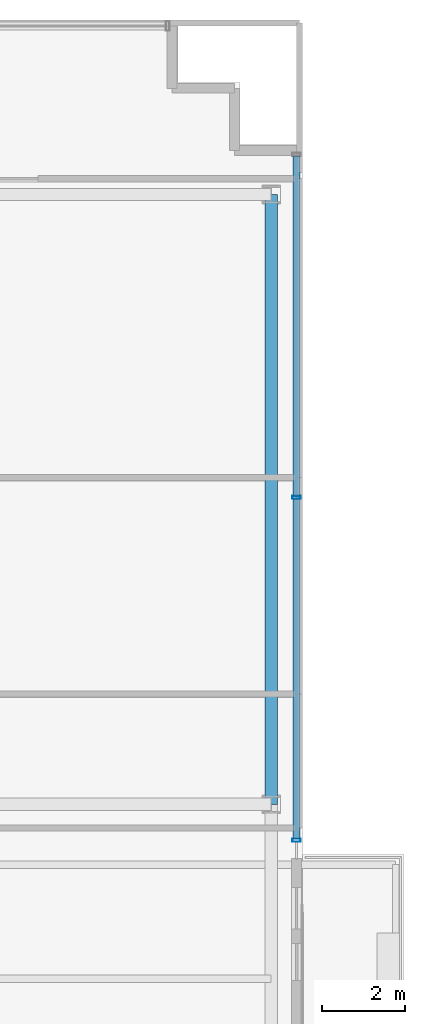
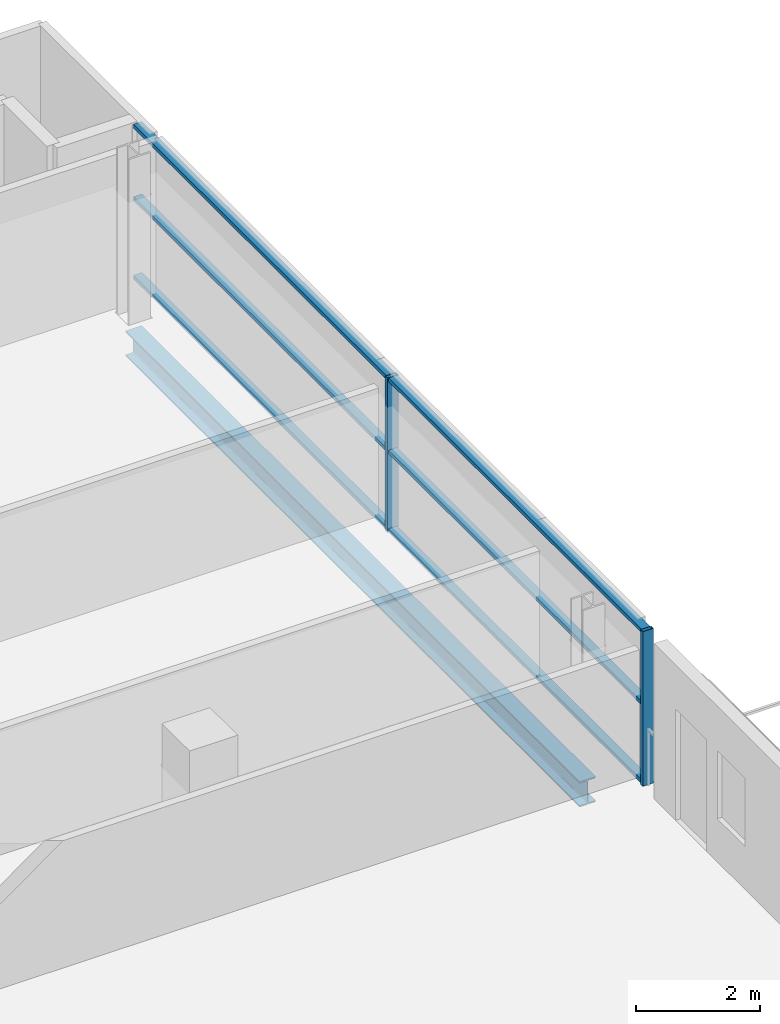
# One storey, part 11 of 25: 8 members, 1 beam, 1 element without a shape of its own.
"""IFC4 building model written with IfcOpenShell, lengths in metres."""

from ifc_helpers import new_model, si_unit, direction, frame, origin, origin_2d, place, context, subcontext, project, spatial, hollow_rectangle, i_section, extrude, source, transform, mapped, material, layer, layer_set, material_profile, profile_set, type_object, element, aggregate, save


model = new_model("IFC4")

# Units and contexts
model_context = context("Model", 3, precision=1e-05, world=origin(), true_north=direction((0.0, 1.0)))
body_context = subcontext(model_context, "Body", "Model", "MODEL_VIEW")
ifc_project = project(units=[si_unit("LENGTHUNIT", "METRE"), si_unit("AREAUNIT", "SQUARE_METRE"), si_unit("VOLUMEUNIT", "CUBIC_METRE"), si_unit("PLANEANGLEUNIT", "RADIAN"), si_unit("MASSUNIT", "GRAM", prefix="KILO")], contexts=[model_context])

# Site, building, storey
site_placement = place(None, origin())
site = spatial("IfcSite", under=ifc_project, at=site_placement, CompositionType="ELEMENT")
building_placement = place(site_placement, origin())
building = spatial("IfcBuilding", under=site, at=building_placement, Name="Zarnakvel Exchange Tower", CompositionType="ELEMENT")
storey_placement = place(building_placement, frame((0.0, 0.0, 126.39990234375)))
storey = spatial("IfcBuildingStorey", under=building, at=storey_placement, Name="L35", CompositionType="ELEMENT", Elevation=126.39990234375)

# Beam
ifc_material_1 = material(Name="Steel S355", Category="steel")
ifc_material_profile_1 = material_profile(ifc_material_1, i_section(OverallWidth=0.300048828125, OverallDepth=0.5, WebThickness=0.014404296875, FlangeThickness=0.028076171875, FilletRadius=0.027099609375, at=origin_2d()))
ifc_profile_set_1 = profile_set([ifc_material_profile_1], Name="Steel S355")
beam_type = type_object("IfcBeamType", Name="SP-02", PredefinedType="SPANDREL", material=ifc_profile_set_1)
beam_placement = place(storey_placement, frame((28.85009765625, -1.199951171875, -0.474853515625), z_axis=(0.0, 1.0, 0.0), x_axis=(-1.0, 0.0, 0.0)))
element("IfcBeam", 1, at=beam_placement, inside=storey, type_object=beam_type, Name="L35 Tower N-S Frame Beam", PredefinedType="SPANDREL", context=body_context, shape_type="SweptSolid", body=[
    extrude(i_section(OverallWidth=0.300048828125, OverallDepth=0.5, WebThickness=0.014404296875, FlangeThickness=0.028076171875, FilletRadius=0.027099609375, at=origin_2d()), origin(), (0.0, 0.0, 1.0), 14.699951171875),
])

# Curtain wall, members
ifc_material_2 = material(Name="Architectural Bronze Anodised Aluminium", Category="aluminium")
ifc_layer = layer(ifc_material_2, 0.199951171875)
ifc_layer_set = layer_set([ifc_layer], Name="Architectural Bronze Anodised Aluminium")
curtain_wall_type = type_object("IfcCurtainWallType", Name="CW-04", PredefinedType="NOTDEFINED", material=ifc_layer_set)
curtain_wall_placement = place(storey_placement, origin())
curtain_wall = element("IfcCurtainWall", 2, at=curtain_wall_placement, inside=storey, type_object=curtain_wall_type, Name="L35 Curtain Wall CW-L35-EN (CW-04)", PredefinedType="NOTDEFINED")
ifc_material_profile_2 = material_profile(ifc_material_2, hollow_rectangle(XDim=0.199951171875, YDim=0.074951171875, WallThickness=0.0048828125, at=origin_2d()))
ifc_profile_set_2 = profile_set([ifc_material_profile_2], Name="Architectural Bronze Anodised Aluminium")
member_type_1 = type_object("IfcMemberType", Name="CWM-04", PredefinedType="MULLION", material=ifc_profile_set_2)
shared_shape_1 = source(origin(), body_context, "Body", "SweptSolid", [
    extrude(hollow_rectangle(XDim=0.199951171875, YDim=0.074951171875, WallThickness=0.0048828125, at=origin_2d()), origin(), (0.0, 0.0, 1.0), 3.05517578125),
])
member_1_placement = place(storey_placement, frame((29.4599609375, -2.0625, 0.0), z_axis=(0.0, 0.0, 1.0), x_axis=(-1.0, 0.0, 0.0)))
member_1 = element("IfcMember", 3, at=member_1_placement, type_object=member_type_1, Name="CW-04 mullion 1", PredefinedType="MULLION", context=body_context, shape_type="MappedRepresentation", body=[
    mapped(shared_shape_1, transform((0.0, 0.0, 0.0), x_axis=(1.0, 0.0, 0.0), y_axis=(0.0, 1.0, 0.0), z_axis=(0.0, 0.0, 1.0), scale=1.0)),
])
member_2_placement = place(storey_placement, frame((29.4599609375, 6.199951171875, 0.0), z_axis=(0.0, 0.0, 1.0), x_axis=(-1.0, 0.0, 0.0)))
member_2 = element("IfcMember", 4, at=member_2_placement, type_object=member_type_1, Name="CW-04 mullion 2", PredefinedType="MULLION", context=body_context, shape_type="MappedRepresentation", body=[
    mapped(shared_shape_1, transform((0.0, 0.0, 0.0), x_axis=(1.0, 0.0, 0.0), y_axis=(0.0, 1.0, 0.0), z_axis=(0.0, 0.0, 1.0), scale=1.0)),
])
ifc_material_profile_3 = material_profile(ifc_material_2, hollow_rectangle(XDim=0.159912109375, YDim=0.074951171875, WallThickness=0.00390625, at=origin_2d()))
ifc_profile_set_3 = profile_set([ifc_material_profile_3], Name="Architectural Bronze Anodised Aluminium")
member_type_2 = type_object("IfcMemberType", Name="CWT-04", PredefinedType="USERDEFINED", material=ifc_profile_set_3)
shared_shape_2 = source(origin(), body_context, "Body", "SweptSolid", [
    extrude(hollow_rectangle(XDim=0.159912109375, YDim=0.074951171875, WallThickness=0.00390625, at=origin_2d()), origin(), (0.0, 0.0, 1.0), 8.1875),
])
member_3_placement = place(storey_placement, frame((29.4599609375, -2.02490234375, 0.03759765625), z_axis=(0.0, 1.0, 0.0), x_axis=(-1.0, 0.0, 0.0)))
member_3 = element("IfcMember", 5, at=member_3_placement, type_object=member_type_2, Name="CW-04 transom 1.1", ObjectType="TRANSOM", PredefinedType="USERDEFINED", context=body_context, shape_type="MappedRepresentation", body=[
    mapped(shared_shape_2, transform((0.0, 0.0, 0.0), x_axis=(1.0, 0.0, 0.0), y_axis=(0.0, 1.0, 0.0), z_axis=(0.0, 0.0, 1.0), scale=1.0)),
])
member_4_placement = place(storey_placement, frame((29.4599609375, -2.02490234375, 1.588623046875), z_axis=(0.0, 1.0, 0.0), x_axis=(-1.0, 0.0, 0.0)))
member_4 = element("IfcMember", 6, at=member_4_placement, type_object=member_type_2, Name="CW-04 transom 1.2", ObjectType="TRANSOM", PredefinedType="USERDEFINED", context=body_context, shape_type="MappedRepresentation", body=[
    mapped(shared_shape_2, transform((0.0, 0.0, 0.0), x_axis=(1.0, 0.0, 0.0), y_axis=(0.0, 1.0, 0.0), z_axis=(0.0, 0.0, 1.0), scale=1.0)),
])
member_5_placement = place(storey_placement, frame((29.4599609375, -2.02490234375, 3.017578125), z_axis=(0.0, 1.0, 0.0), x_axis=(-1.0, 0.0, 0.0)))
member_5 = element("IfcMember", 7, at=member_5_placement, type_object=member_type_2, Name="CW-04 transom 1.3", ObjectType="TRANSOM", PredefinedType="USERDEFINED", context=body_context, shape_type="MappedRepresentation", body=[
    mapped(shared_shape_2, transform((0.0, 0.0, 0.0), x_axis=(1.0, 0.0, 0.0), y_axis=(0.0, 1.0, 0.0), z_axis=(0.0, 0.0, 1.0), scale=1.0)),
])
member_6_placement = place(storey_placement, frame((29.4599609375, 6.237548828125, 0.03759765625), z_axis=(0.0, 1.0, 0.0), x_axis=(-1.0, 0.0, 0.0)))
member_6 = element("IfcMember", 8, at=member_6_placement, type_object=member_type_2, Name="CW-04 transom 2.1", ObjectType="TRANSOM", PredefinedType="USERDEFINED", context=body_context, shape_type="MappedRepresentation", body=[
    mapped(shared_shape_2, transform((0.0, 0.0, 0.0), x_axis=(1.0, 0.0, 0.0), y_axis=(0.0, 1.0, 0.0), z_axis=(0.0, 0.0, 1.0), scale=1.0)),
])
member_7_placement = place(storey_placement, frame((29.4599609375, 6.237548828125, 1.588623046875), z_axis=(0.0, 1.0, 0.0), x_axis=(-1.0, 0.0, 0.0)))
member_7 = element("IfcMember", 9, at=member_7_placement, type_object=member_type_2, Name="CW-04 transom 2.2", ObjectType="TRANSOM", PredefinedType="USERDEFINED", context=body_context, shape_type="MappedRepresentation", body=[
    mapped(shared_shape_2, transform((0.0, 0.0, 0.0), x_axis=(1.0, 0.0, 0.0), y_axis=(0.0, 1.0, 0.0), z_axis=(0.0, 0.0, 1.0), scale=1.0)),
])
member_8_placement = place(storey_placement, frame((29.4599609375, 6.237548828125, 3.017578125), z_axis=(0.0, 1.0, 0.0), x_axis=(-1.0, 0.0, 0.0)))
member_8 = element("IfcMember", 10, at=member_8_placement, type_object=member_type_2, Name="CW-04 transom 2.3", ObjectType="TRANSOM", PredefinedType="USERDEFINED", context=body_context, shape_type="MappedRepresentation", body=[
    mapped(shared_shape_2, transform((0.0, 0.0, 0.0), x_axis=(1.0, 0.0, 0.0), y_axis=(0.0, 1.0, 0.0), z_axis=(0.0, 0.0, 1.0), scale=1.0)),
])
aggregate(curtain_wall, [member_1, member_2, member_3, member_4, member_5, member_6, member_7, member_8])

save(model, "model.ifc")
